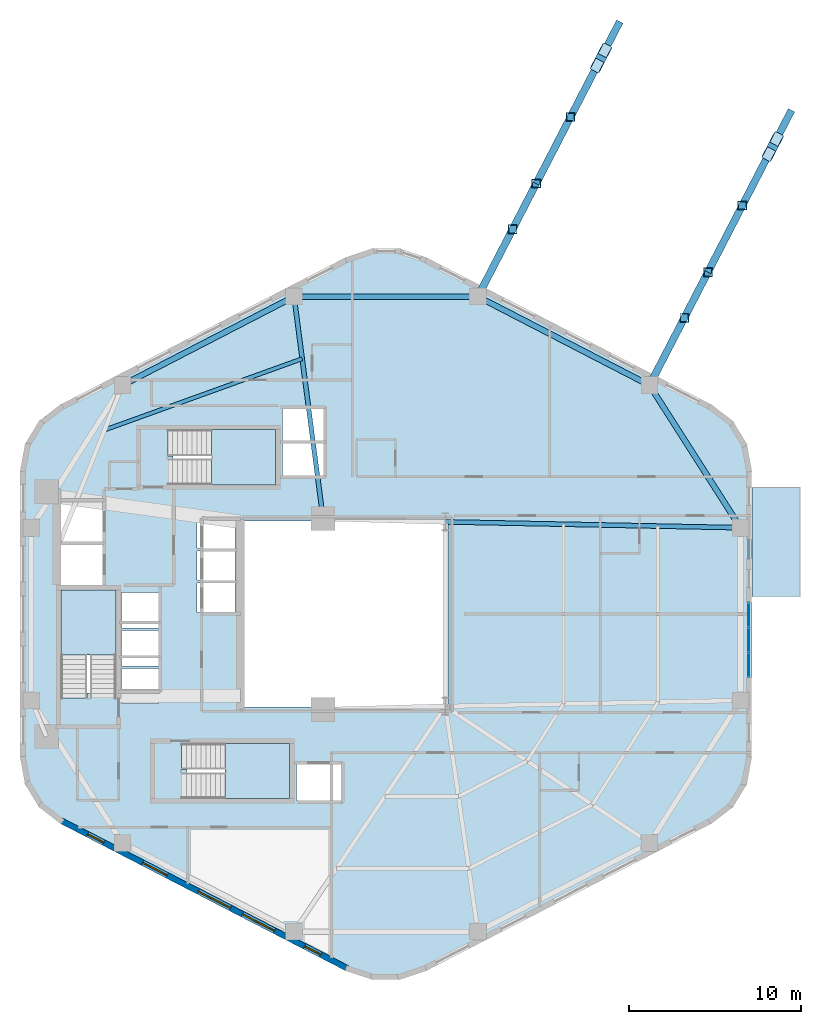
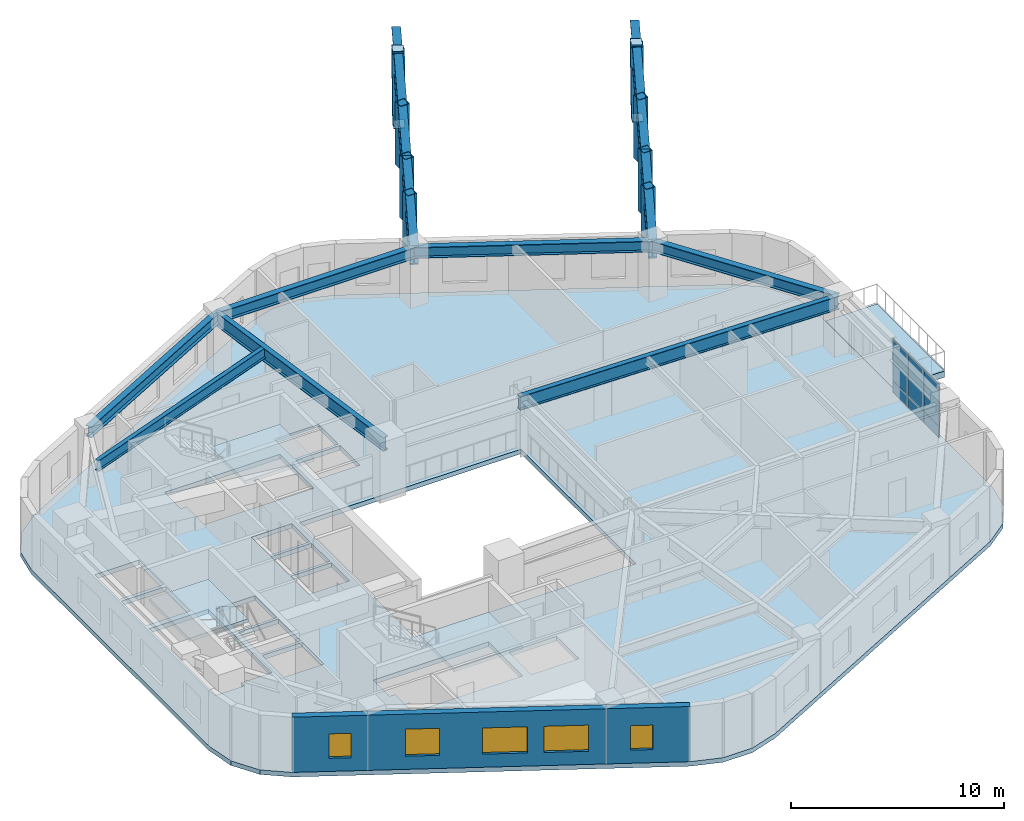
# One storey, part 3 of 9: 11 beams, 10 plates, 8 members, 5 slabs, 5 windows, 1 wall, 5 openings, 4 elements without a shape of their own.
"""IFC4 building model written with IfcOpenShell, lengths in metres."""

from ifc_helpers import new_model, si_unit, direction, frame, frame_2d, origin, origin_2d, place, context, subcontext, project, spatial, polyline, rectangle, hollow_rectangle, i_section, outline, extrude, material, layer, layer_set, material_profile, profile_set, type_object, element, fill, aggregate, save


model = new_model("IFC4")

# Units and contexts
model_context = context("Model", 3, precision=1e-05, world=origin(), true_north=direction((0.0, 1.0)))
body_context = subcontext(model_context, "Body", "Model", "MODEL_VIEW")
ifc_project = project(units=[si_unit("LENGTHUNIT", "METRE"), si_unit("AREAUNIT", "SQUARE_METRE"), si_unit("VOLUMEUNIT", "CUBIC_METRE"), si_unit("PLANEANGLEUNIT", "RADIAN"), si_unit("MASSUNIT", "GRAM", prefix="KILO"), si_unit("THERMODYNAMICTEMPERATUREUNIT", "KELVIN"), si_unit("POWERUNIT", "WATT")], contexts=[model_context])

# Site, building, storey
site_placement = place(None, origin())
site = spatial("IfcSite", under=ifc_project, at=site_placement, CompositionType="ELEMENT")
building_placement = place(site_placement, origin())
building = spatial("IfcBuilding", under=site, at=building_placement, Name="Skarre Station Tower", CompositionType="ELEMENT")
storey_placement = place(building_placement, frame((0.0, 0.0, 108.449951171875)))
storey = spatial("IfcBuildingStorey", under=building, at=storey_placement, Name="L28", CompositionType="ELEMENT", Elevation=108.449951171875)

# Beams
ifc_material_1 = material(Name="Steel ASTM A992 Grade 50", Category="steel")
ifc_material_profile_1 = material_profile(ifc_material_1, i_section(OverallWidth=0.26806640625, OverallDepth=0.77001953125, WebThickness=0.01611328125, FlangeThickness=0.02490234375, at=origin_2d()), Name="Steel ASTM A992 Grade 50")
ifc_profile_set_1 = profile_set([ifc_material_profile_1], Name="Steel ASTM A992 Grade 50")
beam_type_1 = type_object("IfcBeamType", Name="Steel Beam W30X132", PredefinedType="BEAM", material=ifc_profile_set_1)
beam_1_placement = place(storey_placement, frame((32.35009765625, 29.550048828125, 2.775146484375), z_axis=(-0.129545878778, 0.991573429097, 0.0), x_axis=(-0.991573429097, -0.129545878778, 0.0)))
element("IfcBeam", 1, at=beam_1_placement, inside=storey, type_object=beam_type_1, Name="L28 Radial Floor Girder F1C1", PredefinedType="BEAM", context=body_context, shape_type="SweptSolid", body=[
    extrude(i_section(OverallWidth=0.26806640625, OverallDepth=0.77001953125, WebThickness=0.01611328125, FlangeThickness=0.02490234375, at=origin_2d()), origin(), (0.0, 0.0, 1.0), 12.977294921875),
])
beam_2_placement = place(storey_placement, frame((39.449951171875, 29.35009765625, 2.775146484375), z_axis=(0.999803839107, -0.019806143142, 0.0), x_axis=(0.019806143142, 0.999803839107, 0.0)))
element("IfcBeam", 2, at=beam_2_placement, inside=storey, type_object=beam_type_1, Name="L28 Radial Floor Girder F5C2", PredefinedType="BEAM", context=body_context, shape_type="SweptSolid", body=[
    extrude(i_section(OverallWidth=0.26806640625, OverallDepth=0.77001953125, WebThickness=0.01611328125, FlangeThickness=0.02490234375, at=origin_2d()), origin(), (0.0, 0.0, 1.0), 17.12158203125),
])
ifc_material_profile_2 = material_profile(ifc_material_1, i_section(OverallWidth=0.22802734375, OverallDepth=0.60791015625, WebThickness=0.010986328125, FlangeThickness=0.01708984375, at=origin_2d()), Name="Steel ASTM A992 Grade 50")
ifc_profile_set_2 = profile_set([ifc_material_profile_2], Name="Steel ASTM A992 Grade 50")
beam_type_2 = type_object("IfcBeamType", Name="Steel Joist W24X76", PredefinedType="JOIST", material=ifc_profile_set_2)
beam_3_placement = place(storey_placement, frame((31.139892578125, 38.81494140625, 2.85595703125), z_axis=(-0.940679663546, -0.339295992594, 0.0), x_axis=(0.339295992594, -0.940679663546, 0.0)))
element("IfcBeam", 3, at=beam_3_placement, inside=storey, type_object=beam_type_2, Name="L28 Secondary Floor Joist 2", PredefinedType="JOIST", context=body_context, shape_type="SweptSolid", body=[
    extrude(i_section(OverallWidth=0.22802734375, OverallDepth=0.60791015625, WebThickness=0.010986328125, FlangeThickness=0.01708984375, at=origin_2d()), origin(), (0.0, 0.0, 1.0), 12.18994140625),
])
ifc_material_profile_3 = material_profile(ifc_material_1, i_section(OverallWidth=0.327880859375, OverallDepth=0.6279296875, WebThickness=0.01708984375, FlangeThickness=0.028076171875, at=origin_2d()), Name="Steel ASTM A992 Grade 50")
ifc_profile_set_3 = profile_set([ifc_material_profile_3], Name="Steel ASTM A992 Grade 50")
beam_type_3 = type_object("IfcBeamType", Name="Steel Spandrel W24X146", PredefinedType="SPANDREL", material=ifc_profile_set_3)
beam_4_placement = place(storey_placement, frame((51.291015625, 37.277099609375, 2.845947265625), z_axis=(-0.888611779493, 0.458660119639, 0.0), x_axis=(-0.458660119639, -0.888611779493, 0.0)))
element("IfcBeam", 4, at=beam_4_placement, inside=storey, type_object=beam_type_3, Name="L28 Facet Spandrel Beam 1", PredefinedType="SPANDREL", context=body_context, shape_type="SweptSolid", body=[
    extrude(i_section(OverallWidth=0.327880859375, OverallDepth=0.6279296875, WebThickness=0.01708984375, FlangeThickness=0.028076171875, at=origin_2d()), origin(), (0.0, 0.0, 1.0), 11.20849609375),
])
beam_5_placement = place(storey_placement, frame((41.3310546875, 42.41796875, 2.845947265625), z_axis=(-1.0, 0.0, 0.0), x_axis=(0.0, -1.0, 0.0)))
element("IfcBeam", 5, at=beam_5_placement, inside=storey, type_object=beam_type_3, Name="L28 Facet Spandrel Beam 2", PredefinedType="SPANDREL", context=body_context, shape_type="SweptSolid", body=[
    extrude(i_section(OverallWidth=0.327880859375, OverallDepth=0.6279296875, WebThickness=0.01708984375, FlangeThickness=0.028076171875, at=origin_2d()), origin(), (0.0, 0.0, 1.0), 10.662109375),
])
beam_6_placement = place(storey_placement, frame((30.6689453125, 42.41796875, 2.845947265625), z_axis=(-0.888611779493, -0.458660119639, 0.0), x_axis=(0.458660119639, -0.888611779493, 0.0)))
element("IfcBeam", 6, at=beam_6_placement, inside=storey, type_object=beam_type_3, Name="L28 Facet Spandrel Beam 3", PredefinedType="SPANDREL", context=body_context, shape_type="SweptSolid", body=[
    extrude(i_section(OverallWidth=0.327880859375, OverallDepth=0.6279296875, WebThickness=0.01708984375, FlangeThickness=0.028076171875, at=origin_2d()), origin(), (0.0, 0.0, 1.0), 11.20849609375),
])
beam_7_placement = place(storey_placement, frame((56.568115234375, 29.010986328125, 2.845947265625), z_axis=(-0.538097547923, 0.842882571251, 0.0), x_axis=(-0.842882571251, -0.538097547923, 0.0)))
element("IfcBeam", 7, at=beam_7_placement, inside=storey, type_object=beam_type_3, Name="L28 Facet Spandrel Beam 12", PredefinedType="SPANDREL", context=body_context, shape_type="SweptSolid", body=[
    extrude(i_section(OverallWidth=0.327880859375, OverallDepth=0.6279296875, WebThickness=0.01708984375, FlangeThickness=0.028076171875, at=origin_2d()), origin(), (0.0, 0.0, 1.0), 9.806884765625),
])
ifc_material_2 = material(Name="Steel ASTM A913 Grade 65", Category="steel")
ifc_material_profile_4 = material_profile(ifc_material_2, i_section(OverallWidth=0.424072265625, OverallDepth=1.092041015625, WebThickness=0.044921875, FlangeThickness=0.08203125, at=origin_2d()), Name="Steel ASTM A913 Grade 65")
ifc_profile_set_4 = profile_set([ifc_material_profile_4], Name="Steel ASTM A913 Grade 65")
beam_type_4 = type_object("IfcBeamType", Name="Steel Transfer Girder W40X593", PredefinedType="USERDEFINED", material=ifc_profile_set_4)
beam_8_placement = place(storey_placement, frame((51.291015625, 37.277099609375, 2.614013671875), z_axis=(0.45867578355, 0.888603694334, 0.0), x_axis=(-0.888603694334, 0.45867578355, 0.0)))
element("IfcBeam", 8, at=beam_8_placement, inside=storey, type_object=beam_type_4, Name="L28 SB-2 Inner Sky-Bar Transfer Girder S1", ObjectType="TRANSFER_GIRDER", PredefinedType="USERDEFINED", context=body_context, shape_type="SweptSolid", body=[
    extrude(i_section(OverallWidth=0.424072265625, OverallDepth=1.092041015625, WebThickness=0.044921875, FlangeThickness=0.08203125, at=origin_2d()), origin(), (0.0, 0.0, 1.0), 7.3798828125),
])
beam_9_placement = place(storey_placement, frame((54.676025390625, 43.8349609375, 2.614013671875), z_axis=(0.458670573437, 0.88860638365, 0.0), x_axis=(-0.88860638365, 0.458670573437, 0.0)))
element("IfcBeam", 9, at=beam_9_placement, inside=storey, type_object=beam_type_4, Name="L28 SB-2 Outer Sky-Bar Transfer Girder S1", ObjectType="TRANSFER_GIRDER", PredefinedType="USERDEFINED", context=body_context, shape_type="SweptSolid", body=[
    extrude(i_section(OverallWidth=0.424072265625, OverallDepth=1.092041015625, WebThickness=0.044921875, FlangeThickness=0.08203125, at=origin_2d()), origin(), (0.0, 0.0, 1.0), 10.569580078125),
])
beam_10_placement = place(storey_placement, frame((41.3310546875, 42.41796875, 2.614013671875), z_axis=(0.45866230048, 0.88861065384, 0.0), x_axis=(-0.88861065384, 0.45866230048, 0.0)))
element("IfcBeam", 10, at=beam_10_placement, inside=storey, type_object=beam_type_4, Name="L28 SB-2 Inner Sky-Bar Transfer Girder S2", ObjectType="TRANSFER_GIRDER", PredefinedType="USERDEFINED", context=body_context, shape_type="SweptSolid", body=[
    extrude(i_section(OverallWidth=0.424072265625, OverallDepth=1.092041015625, WebThickness=0.044921875, FlangeThickness=0.08203125, at=origin_2d()), origin(), (0.0, 0.0, 1.0), 7.380126953125),
])
beam_11_placement = place(storey_placement, frame((44.716064453125, 48.97607421875, 2.614013671875), z_axis=(0.458679988111, 0.888601524029, 0.0), x_axis=(-0.888601524029, 0.458679988111, 0.0)))
element("IfcBeam", 11, at=beam_11_placement, inside=storey, type_object=beam_type_4, Name="L28 SB-2 Outer Sky-Bar Transfer Girder S2", ObjectType="TRANSFER_GIRDER", PredefinedType="USERDEFINED", context=body_context, shape_type="SweptSolid", body=[
    extrude(i_section(OverallWidth=0.424072265625, OverallDepth=1.092041015625, WebThickness=0.044921875, FlangeThickness=0.08203125, at=origin_2d()), origin(), (0.0, 0.0, 1.0), 10.5693359375),
])

# Members
ifc_material_3 = material(Name="Steel ASTM A501 Grade B", Category="steel")
ifc_material_profile_5 = material_profile(ifc_material_3, hollow_rectangle(XDim=0.5, YDim=0.5, WallThickness=0.02490234375, at=origin_2d()), Name="Steel ASTM A501 Grade B")
ifc_profile_set_5 = profile_set([ifc_material_profile_5], Name="Steel ASTM A501 Grade B")
member_type_1 = type_object("IfcMemberType", Name="Steel Truss Strut HSS500X500X25", PredefinedType="STRUT", material=ifc_profile_set_5)
for number, where, z_axis, x_axis, name in (
    (12, (53.30908203125, 41.18701171875, -0.43994140625), (0.0, 0.0, 1.0), (1.0, 0.0, 0.0), "L28 SB-2 Exoskeleton Post Tier 4-1 S1"),
    (13, (54.676025390625, 43.8349609375, -0.43994140625), (0.0, 0.0, 1.0), (1.0, 0.0, 0.0), "L28 SB-2 Exoskeleton Post Tier 4-2 S1"),
    (14, (56.6708984375, 47.699951171875, -0.43994140625), (0.0, 0.0, 1.0), (1.0, 0.0, 0.0), "L28 SB-2 Exoskeleton Post Tier 4-3 S1"),
    (15, (43.34912109375, 46.327880859375, -0.43994140625), (0.0, 0.0, 1.0), (1.0, 0.0, 0.0), "L28 SB-2 Exoskeleton Post Tier 4-1 S2"),
    (16, (44.716064453125, 48.97607421875, -0.43994140625), (0.0, 0.0, 1.0), (1.0, 0.0, 0.0), "L28 SB-2 Exoskeleton Post Tier 4-2 S2"),
    (17, (46.7109375, 52.841064453125, -0.43994140625), (0.0, 0.0, 1.0), (1.0, 0.0, 0.0), "L28 SB-2 Exoskeleton Post Tier 4-3 S2"),
):
    element("IfcMember", number, at=place(storey_placement, frame(where, z_axis=z_axis, x_axis=x_axis)), inside=storey, type_object=member_type_1, Name=name, PredefinedType="STRUT", context=body_context, shape_type="SweptSolid", body=[
        extrude(hollow_rectangle(XDim=0.5, YDim=0.5, WallThickness=0.02490234375, at=origin_2d()), origin(), (0.0, 0.0, 1.0), 3.60009765625),
    ])
ifc_material_profile_6 = material_profile(ifc_material_3, hollow_rectangle(XDim=0.60009765625, YDim=0.60009765625, WallThickness=0.028076171875, at=origin_2d()), Name="Steel ASTM A501 Grade B")
ifc_profile_set_6 = profile_set([ifc_material_profile_6], Name="Steel ASTM A501 Grade B")
member_type_2 = type_object("IfcMemberType", Name="Steel Truss Strut HSS600X600X28", PredefinedType="STRUT", material=ifc_profile_set_6)
for number, where, z_axis, x_axis, name in (
    (18, (58.20703125, 50.677001953125, -0.43994140625), (0.12283756982, 0.237899782828, 0.963490853496), (-0.888543643112, 0.458792103557, 0.0), "L28 SB-2 Exoskeleton Raking Strut Tier 4 S1"),
    (19, (48.2470703125, 55.818115234375, -0.43994140625), (0.12283756982, 0.237899782828, 0.963490853496), (-0.888543643112, 0.458792103557, 0.0), "L28 SB-2 Exoskeleton Raking Strut Tier 4 S2"),
):
    element("IfcMember", number, at=place(storey_placement, frame(where, z_axis=z_axis, x_axis=x_axis)), inside=storey, type_object=member_type_2, Name=name, PredefinedType="STRUT", context=body_context, shape_type="SweptSolid", body=[
        extrude(hollow_rectangle(XDim=0.60009765625, YDim=0.60009765625, WallThickness=0.028076171875, at=origin_2d()), origin(), (0.0, 0.0, 1.0), 3.736572265625),
    ])

# Curtain wall, plates
ifc_material_4 = material(Name="Thermally Broken Bronze-Anodized Aluminium & Triple Low-E Glass", Category="aluminium")
ifc_layer_1 = layer(ifc_material_4, 0.18994140625, Name="Thermally Broken Bronze-Anodized Aluminium & Triple Low-E Glass")
ifc_layer_set_1 = layer_set([ifc_layer_1], Name="Thermally Broken Bronze-Anodized Aluminium & Triple Low-E Glass")
curtain_wall_type = type_object("IfcCurtainWallType", Name="Sky-Garden Setback Conservatory Curtain Wall", PredefinedType="NOTDEFINED", material=ifc_layer_set_1)
curtain_wall_placement = place(storey_placement, origin())
curtain_wall = element("IfcCurtainWall", 20, at=curtain_wall_placement, inside=storey, type_object=curtain_wall_type, Name="L28 Facet 5 Conservatory Curtain Wall", PredefinedType="NOTDEFINED")
ifc_material_5 = material(Name="Insulated Bronze Anodized Aluminium Spandrel", Category="aluminium")
ifc_layer_2 = layer(ifc_material_5, 0.052001953125, Name="Insulated Bronze Anodized Aluminium Spandrel")
ifc_layer_set_2 = layer_set([ifc_layer_2], Name="Insulated Bronze Anodized Aluminium Spandrel")
plate_type_1 = type_object("IfcPlateType", Name="Bronze Insulated Spandrel Sheet Panel 52", PredefinedType="SHEET", material=ifc_layer_set_2)
plate_1_placement = place(storey_placement, frame((57.048095703125, 23.944091796875, 0.05224609375), z_axis=(0.0, 0.0, 1.0), x_axis=(0.0, -1.0, 0.0)))
plate_1 = element("IfcPlate", 21, at=plate_1_placement, type_object=plate_type_1, Name="L28 Facet 5 Conservatory Curtain Wall Spandrel Panel 1-1", PredefinedType="SHEET", context=body_context, shape_type="SweptSolid", body=[
    extrude(rectangle(XDim=1.424072265625, YDim=0.052001953125, at=origin_2d()), origin(), (0.0, 0.0, 1.0), 0.635986328125),
])
plate_2_placement = place(storey_placement, frame((57.048095703125, 22.49609375, 0.05224609375), z_axis=(0.0, 0.0, 1.0), x_axis=(0.0, -1.0, 0.0)))
plate_2 = element("IfcPlate", 22, at=plate_2_placement, type_object=plate_type_1, Name="L28 Facet 5 Conservatory Curtain Wall Spandrel Panel 2-1", PredefinedType="SHEET", context=body_context, shape_type="SweptSolid", body=[
    extrude(rectangle(XDim=1.424072265625, YDim=0.052001953125, at=origin_2d()), origin(), (0.0, 0.0, 1.0), 0.635986328125),
])
plate_3_placement = place(storey_placement, frame((57.048095703125, 21.049072265625, 0.05224609375), z_axis=(0.0, 0.0, 1.0), x_axis=(0.0, -1.0, 0.0)))
plate_3 = element("IfcPlate", 23, at=plate_3_placement, type_object=plate_type_1, Name="L28 Facet 5 Conservatory Curtain Wall Spandrel Panel 3-1", PredefinedType="SHEET", context=body_context, shape_type="SweptSolid", body=[
    extrude(rectangle(XDim=1.424072265625, YDim=0.052001953125, at=origin_2d()), origin(), (0.0, 0.0, 1.0), 0.635986328125),
])

# Plates
ifc_material_6 = material(Name="Steel ASTM A572 Grade 50", Category="steel")
ifc_layer_3 = layer(ifc_material_6, 0.031982421875, Name="Steel ASTM A572 Grade 50")
ifc_layer_set_3 = layer_set([ifc_layer_3], Name="Steel ASTM A572 Grade 50")
plate_type_2 = type_object("IfcPlateType", Name="Exoskeleton Strut Cap Plate 700x540x32", PredefinedType="USERDEFINED", material=ifc_layer_set_3)
for number, where, z_axis, x_axis, name in (
    (24, (58.20703125, 50.677001953125, -0.44580078125), (0.0, 0.0, 1.0), (0.458649554484, 0.888617232655, 0.0), "L28 SB-2 Exoskeleton Tier-4 Base Gusset S1"),
    (25, (58.666015625, 51.56591796875, 3.13427734375), (0.0, 0.0, 1.0), (0.458649554484, 0.888617232655, 0.0), "L28 SB-2 Exoskeleton Tier-4 Head Gusset S1"),
    (26, (48.2470703125, 55.818115234375, -0.44580078125), (0.0, 0.0, 1.0), (0.458649554484, 0.888617232655, 0.0), "L28 SB-2 Exoskeleton Tier-4 Base Gusset S2"),
    (27, (48.7060546875, 56.70703125, 3.13427734375), (0.0, 0.0, 1.0), (0.458649554484, 0.888617232655, 0.0), "L28 SB-2 Exoskeleton Tier-4 Head Gusset S2"),
):
    element("IfcPlate", number, at=place(storey_placement, frame(where, z_axis=z_axis, x_axis=x_axis)), inside=storey, type_object=plate_type_2, Name=name, ObjectType="STIFFENER_PLATE", PredefinedType="USERDEFINED", context=body_context, shape_type="SweptSolid", body=[
        extrude(rectangle(XDim=0.699951171875, YDim=0.5400390625, at=origin_2d()), origin(), (0.0, 0.0, 1.0), 0.031982421875),
    ])

# Stair, slab
ifc_material_7 = material(Name="Concrete C40/50", Category="concrete")
stair_type_1 = type_object("IfcStairType", Name="Reinforced Concrete Exit Stair ST-1", PredefinedType="HALF_TURN_STAIR", material=ifc_material_7)
stair_1_placement = place(storey_placement, origin())
stair_1 = element("IfcStair", 28, at=stair_1_placement, inside=storey, type_object=stair_type_1, Name="L28 Core Exit Stair ST-1", PredefinedType="HALF_TURN_STAIR")
ifc_layer_4 = layer(ifc_material_7, 0.219970703125, Name="Concrete C40/50")
ifc_layer_set_4 = layer_set([ifc_layer_4], Name="Concrete C40/50")
slab_type_1 = type_object("IfcSlabType", Name="Reinforced Concrete Stair & Ramp Landing 220", PredefinedType="LANDING", material=ifc_layer_set_4)
slab_1_placement = place(storey_placement, frame((0.0, 0.0, 1.525146484375)))
slab_1 = element("IfcSlab", 29, at=slab_1_placement, type_object=slab_type_1, Name="ST-1 landing 1", PredefinedType="LANDING", context=body_context, shape_type="SweptSolid", body=[
    extrude(outline(polyline([(20.35009765625, 21.639892578125), (20.35009765625, 25.39990234375), (17.14990234375, 25.39990234375), (17.14990234375, 21.639892578125), (20.35009765625, 21.639892578125)])), origin(), (0.0, 0.0, 1.0), 0.199951171875),
])
aggregate(stair_1, [slab_1])

stair_type_2 = type_object("IfcStairType", Name="Reinforced Concrete Exit Stair ST-2", PredefinedType="HALF_TURN_STAIR", material=ifc_material_7)
stair_2_placement = place(storey_placement, origin())
stair_2 = element("IfcStair", 30, at=stair_2_placement, inside=storey, type_object=stair_type_2, Name="L28 Core Exit Stair ST-2", PredefinedType="HALF_TURN_STAIR")
slab_2_placement = place(storey_placement, frame((0.0, 0.0, 1.525146484375)))
slab_2 = element("IfcSlab", 31, at=slab_2_placement, type_object=slab_type_1, Name="ST-2 landing 1", PredefinedType="LANDING", context=body_context, shape_type="SweptSolid", body=[
    extrude(outline(polyline([(26.669921875, 13.300048828125), (30.39990234375, 13.300048828125), (30.39990234375, 16.5), (26.669921875, 16.5), (26.669921875, 13.300048828125)])), origin(), (0.0, 0.0, 1.0), 0.199951171875),
])
aggregate(stair_2, [slab_2])

stair_type_3 = type_object("IfcStairType", Name="Reinforced Concrete Exit Stair ST-3", PredefinedType="HALF_TURN_STAIR", material=ifc_material_7)
stair_3_placement = place(storey_placement, origin())
stair_3 = element("IfcStair", 32, at=stair_3_placement, inside=storey, type_object=stair_type_3, Name="L28 Core Exit Stair ST-3", PredefinedType="HALF_TURN_STAIR")
slab_3_placement = place(storey_placement, frame((0.0, 0.0, 1.525146484375)))
slab_3 = element("IfcSlab", 33, at=slab_3_placement, type_object=slab_type_1, Name="ST-3 landing 1", PredefinedType="LANDING", context=body_context, shape_type="SweptSolid", body=[
    extrude(outline(polyline([(25.8701171875, 31.5), (29.60009765625, 31.5), (29.60009765625, 34.699951171875), (25.8701171875, 34.699951171875), (25.8701171875, 31.5)])), origin(), (0.0, 0.0, 1.0), 0.199951171875),
])
aggregate(stair_3, [slab_3])

# Slabs
ifc_material_8 = material(Name="Concrete C50/60", Category="concrete")
ifc_layer_5 = layer(ifc_material_8, 0.419921875, Name="Concrete C50/60")
ifc_layer_set_5 = layer_set([ifc_layer_5], Name="Concrete C50/60")
slab_type_2 = type_object("IfcSlabType", Name="Sky-Garden & Lookout Terrace Slab 360", PredefinedType="FLOOR", material=ifc_layer_set_5)
slab_4_placement = place(storey_placement, frame((0.0, 0.0, -0.35986328125)))
element("IfcSlab", 34, at=slab_4_placement, inside=storey, type_object=slab_type_2, Name="L28 SG-1 Planted Sky-Garden Terrace Slab", PredefinedType="FLOOR", context=body_context, shape_type="SweptSolid", body=[
    extrude(outline(polyline([(57.22802734375, 31.35009765625), (57.22802734375, 25.001953125), (60.01806640625, 25.001953125), (60.01806640625, 31.35009765625), (57.22802734375, 31.35009765625)])), origin(), (0.0, 0.0, 1.0), 0.35986328125),
])
ifc_layer_6 = layer(ifc_material_8, 0.260009765625, Name="Concrete C50/60")
ifc_layer_set_6 = layer_set([ifc_layer_6], Name="Concrete C50/60")
slab_type_3 = type_object("IfcSlabType", Name="Tower Typical Composite Floor Slab 260", PredefinedType="FLOOR", material=ifc_layer_set_6)
slab_5_placement = place(storey_placement, frame((0.0, 0.0, -0.260009765625)))
element("IfcSlab", 35, at=slab_5_placement, inside=storey, type_object=slab_type_3, Name="L28 Zone 2 Structural Floor Slab", PredefinedType="FLOOR", context=body_context, shape_type="SweptSolid", body=[
    extrude(outline(polyline([(57.218017578125, 32.35205078125), (56.93701171875, 33.873046875), (56.132080078125, 35.194091796875), (54.908935546875, 36.14111328125), (38.30908203125, 44.708984375), (36.7958984375, 45.2060546875), (35.2041015625, 45.2060546875), (33.69091796875, 44.708984375), (17.091064453125, 36.14111328125), (15.867919921875, 35.194091796875), (15.06298828125, 33.873046875), (14.781982421875, 32.35205078125), (14.781982421875, 15.64794921875), (15.06298828125, 14.126953125), (15.867919921875, 12.805908203125), (17.091064453125, 11.85888671875), (33.69091796875, 3.291015625), (35.2041015625, 2.7939453125), (36.7958984375, 2.7939453125), (38.30908203125, 3.291015625), (54.908935546875, 11.85888671875), (56.132080078125, 12.805908203125), (56.93701171875, 14.126953125), (57.218017578125, 15.64794921875), (57.218017578125, 32.35205078125)]), holes=[polyline([(18.669921875, 19.419921875), (18.669921875, 19.123046875), (17.14990234375, 19.123046875), (17.14990234375, 25.39990234375), (20.35009765625, 25.39990234375), (20.35009765625, 19.419921875), (18.669921875, 19.419921875)]), polyline([(24.449951171875, 14.97998046875), (24.153076171875, 14.97998046875), (24.153076171875, 16.5), (30.39990234375, 16.5), (30.39990234375, 13.300048828125), (24.449951171875, 13.300048828125), (24.449951171875, 14.97998046875)]), polyline([(23.64990234375, 33.179931640625), (23.35302734375, 33.179931640625), (23.35302734375, 34.699951171875), (29.60009765625, 34.699951171875), (29.60009765625, 31.5), (23.64990234375, 31.5), (23.64990234375, 33.179931640625)]), polyline([(17.14990234375, 28.0), (19.550048828125, 28.0), (19.550048828125, 25.699951171875), (17.14990234375, 25.699951171875), (17.14990234375, 28.0)]), polyline([(17.14990234375, 30.5), (19.550048828125, 30.5), (19.550048828125, 28.199951171875), (17.14990234375, 28.199951171875), (17.14990234375, 30.5)]), polyline([(30.800048828125, 15.300048828125), (33.39990234375, 15.300048828125), (33.39990234375, 13.199951171875), (30.800048828125, 13.199951171875), (30.800048828125, 15.300048828125)]), polyline([(25.050048828125, 25.800048828125), (27.25, 25.800048828125), (27.25, 24.10009765625), (25.050048828125, 24.10009765625), (25.050048828125, 25.800048828125)]), polyline([(25.050048828125, 27.64990234375), (27.25, 27.64990234375), (27.25, 25.949951171875), (25.050048828125, 25.949951171875), (25.050048828125, 27.64990234375)]), polyline([(25.050048828125, 29.5), (27.25, 29.5), (27.25, 27.800048828125), (25.050048828125, 27.800048828125), (25.050048828125, 29.5)]), polyline([(20.64990234375, 20.85009765625), (22.800048828125, 20.85009765625), (22.800048828125, 18.800048828125), (20.64990234375, 18.800048828125), (20.64990234375, 20.85009765625)]), polyline([(20.64990234375, 23.050048828125), (22.800048828125, 23.050048828125), (22.800048828125, 21.0), (20.64990234375, 21.0), (20.64990234375, 23.050048828125)]), polyline([(20.64990234375, 25.25), (22.800048828125, 25.25), (22.800048828125, 23.199951171875), (20.64990234375, 23.199951171875), (20.64990234375, 25.25)]), polyline([(30.0, 33.89990234375), (32.39990234375, 33.89990234375), (32.39990234375, 32.050048828125), (30.0, 32.050048828125), (30.0, 33.89990234375)]), polyline([(30.0, 35.89990234375), (32.39990234375, 35.89990234375), (32.39990234375, 34.050048828125), (30.0, 34.050048828125), (30.0, 35.89990234375)]), polyline([(27.60009765625, 29.39990234375), (39.60009765625, 29.39990234375), (39.60009765625, 18.60009765625), (27.60009765625, 18.60009765625), (27.60009765625, 29.39990234375)])]), origin(), (0.0, 0.0, 1.0), 0.260009765625),
])

# Plate
ifc_material_9 = material(Name="Low-Iron Triple Insulating Glass Unit", Category="glass")
ifc_layer_7 = layer(ifc_material_9, 0.0439453125, Name="Low-Iron Triple Insulating Glass Unit")
ifc_layer_set_7 = layer_set([ifc_layer_7], Name="Low-Iron Triple Insulating Glass Unit")
plate_type_3 = type_object("IfcPlateType", Name="Triple-Glazed Vision Curtain Panel 44", PredefinedType="CURTAIN_PANEL", material=ifc_layer_set_7)
plate_4_placement = place(storey_placement, frame((57.048095703125, 23.944091796875, 0.712158203125), z_axis=(0.0, 0.0, 1.0), x_axis=(0.0, -1.0, 0.0)))
plate_4 = element("IfcPlate", 36, at=plate_4_placement, type_object=plate_type_3, Name="L28 Facet 5 Conservatory Curtain Wall Vision Panel 1-2", PredefinedType="CURTAIN_PANEL", context=body_context, shape_type="SweptSolid", body=[
    extrude(rectangle(XDim=1.424072265625, YDim=0.0439453125, at=origin_2d()), origin(), (0.0, 0.0, 1.0), 2.39599609375),
])

plate_5_placement = place(storey_placement, frame((57.048095703125, 22.49609375, 0.712158203125), z_axis=(0.0, 0.0, 1.0), x_axis=(0.0, -1.0, 0.0)))
plate_5 = element("IfcPlate", 37, at=plate_5_placement, type_object=plate_type_3, Name="L28 Facet 5 Conservatory Curtain Wall Vision Panel 2-2", PredefinedType="CURTAIN_PANEL", context=body_context, shape_type="SweptSolid", body=[
    extrude(rectangle(XDim=1.424072265625, YDim=0.0439453125, at=origin_2d()), origin(), (0.0, 0.0, 1.0), 2.39599609375),
])

plate_6_placement = place(storey_placement, frame((57.048095703125, 21.049072265625, 0.712158203125), z_axis=(0.0, 0.0, 1.0), x_axis=(0.0, -1.0, 0.0)))
plate_6 = element("IfcPlate", 38, at=plate_6_placement, type_object=plate_type_3, Name="L28 Facet 5 Conservatory Curtain Wall Vision Panel 3-2", PredefinedType="CURTAIN_PANEL", context=body_context, shape_type="SweptSolid", body=[
    extrude(rectangle(XDim=1.424072265625, YDim=0.0439453125, at=origin_2d()), origin(), (0.0, 0.0, 1.0), 2.39599609375),
])

aggregate(curtain_wall, [plate_1, plate_4, plate_2, plate_5, plate_3, plate_6])

# Wall, openings, windows
ifc_material_10 = material(Name="Precast concrete C45/55", Category="concrete")
ifc_layer_8 = layer(ifc_material_10, 0.340087890625, Name="Precast concrete C45/55")
ifc_layer_set_8 = layer_set([ifc_layer_8], Name="Precast concrete C45/55")
wall_type = type_object("IfcWallType", Name="Nordic Honed Precast Facet Wall 340", PredefinedType="STANDARD", material=ifc_layer_set_8)
wall_placement = place(storey_placement, frame((33.76904296875, 3.44189453125, 0.0), z_axis=(0.0, 0.0, 1.0), x_axis=(-0.888613612362, 0.458656568606, 0.0)))
wall = element("IfcWall", 39, at=wall_placement, inside=storey, type_object=wall_type, Name="L28 Facet 3 Nordic Precast Masonry Wall", PredefinedType="STANDARD", context=body_context, shape_type="SweptSolid", body=[
    extrude(rectangle(XDim=18.680908203125, YDim=0.340087890625, at=frame_2d((9.34033203125, 0.0))), origin(), (0.0, 0.0, 1.0), 3.16015625),
])
opening_1_placement = place(wall_placement, frame((1.75, 0.0, 0.75)))
opening_1 = element("IfcOpeningElement", 40, at=opening_1_placement, cuts=wall, Name="Opening WN-SLT", PredefinedType="OPENING", context=body_context, shape_type="SweptSolid", body=[
    extrude(rectangle(XDim=1.050048828125, YDim=1.39990234375, at=frame_2d((0.52490234375, 0.699951171875))), frame((0.0, 0.179931640625, 0.0), z_axis=(0.0, -1.0, 0.0), x_axis=(1.0, 0.0, 0.0)), (0.0, 0.0, 1.0), 0.360107421875),
])
opening_2_placement = place(wall_placement, frame((4.764892578125, 0.0, 0.75)))
opening_2 = element("IfcOpeningElement", 41, at=opening_2_placement, cuts=wall, Name="Opening WN-Z2B", PredefinedType="OPENING", context=body_context, shape_type="SweptSolid", body=[
    extrude(rectangle(XDim=2.10009765625, YDim=1.5, at=frame_2d((1.050048828125, 0.75))), frame((0.0, 0.179931640625, 0.0), z_axis=(0.0, -1.0, 0.0), x_axis=(1.0, 0.0, 0.0)), (0.0, 0.0, 1.0), 0.360107421875),
])
opening_3_placement = place(wall_placement, frame((7.64404296875, 0.0, 0.75)))
opening_3 = element("IfcOpeningElement", 42, at=opening_3_placement, cuts=wall, Name="Opening WN-Z2B", PredefinedType="OPENING", context=body_context, shape_type="SweptSolid", body=[
    extrude(rectangle(XDim=2.10009765625, YDim=1.5, at=frame_2d((1.050048828125, 0.75))), frame((0.0, 0.179931640625, 0.0), z_axis=(0.0, -1.0, 0.0), x_axis=(1.0, 0.0, 0.0)), (0.0, 0.0, 1.0), 0.360107421875),
])
opening_4_placement = place(wall_placement, frame((11.77392578125, 0.0, 0.75)))
opening_4 = element("IfcOpeningElement", 43, at=opening_4_placement, cuts=wall, Name="Opening WN-Z2A", PredefinedType="OPENING", context=body_context, shape_type="SweptSolid", body=[
    extrude(rectangle(XDim=1.60009765625, YDim=1.550048828125, at=frame_2d((0.800048828125, 0.77490234375))), frame((0.0, 0.179931640625, 0.0), z_axis=(0.0, -1.0, 0.0), x_axis=(1.0, 0.0, 0.0)), (0.0, 0.0, 1.0), 0.360107421875),
])
opening_5_placement = place(wall_placement, frame((15.919921875, 0.0, 0.75)))
opening_5 = element("IfcOpeningElement", 44, at=opening_5_placement, cuts=wall, Name="Opening WN-SLT", PredefinedType="OPENING", context=body_context, shape_type="SweptSolid", body=[
    extrude(rectangle(XDim=1.050048828125, YDim=1.39990234375, at=frame_2d((0.52490234375, 0.699951171875))), frame((0.0, 0.179931640625, 0.0), z_axis=(0.0, -1.0, 0.0), x_axis=(1.0, 0.0, 0.0)), (0.0, 0.0, 1.0), 0.360107421875),
])
ifc_material_11 = material(Name="Low-Iron Triple Glazing with Bronze Anodized Frame", Category="glass")
window_type_1 = type_object("IfcWindowType", Name="Nordic Corner Slot Window 1050x1400", PartitioningType="SINGLE_PANEL", PredefinedType="WINDOW", material=ifc_material_11)
window_1_placement = place(opening_1_placement, origin())
window_1 = element("IfcWindow", 45, at=window_1_placement, inside=storey, type_object=window_type_1, Name="L28 Facade Window WL-FAC-L28-F3-1", OverallHeight=1.39990234375, OverallWidth=1.050048828125, PartitioningType="SINGLE_PANEL", PredefinedType="WINDOW", context=body_context, shape_type="SweptSolid", body=[
    extrude(rectangle(XDim=1.050048828125, YDim=1.39990234375, at=frame_2d((0.52490234375, 0.699951171875))), frame((0.0, 0.030029296875, 0.0), z_axis=(0.0, -1.0, 0.0), x_axis=(1.0, 0.0, 0.0)), (0.0, 0.0, 1.0), 0.06005859375),
])
fill(opening_1, window_1)
window_2_placement = place(opening_5_placement, origin())
window_2 = element("IfcWindow", 46, at=window_2_placement, inside=storey, type_object=window_type_1, Name="L28 Facade Window WL-FAC-L28-F3-5", OverallHeight=1.39990234375, OverallWidth=1.050048828125, PartitioningType="SINGLE_PANEL", PredefinedType="WINDOW", context=body_context, shape_type="SweptSolid", body=[
    extrude(rectangle(XDim=1.050048828125, YDim=1.39990234375, at=frame_2d((0.52490234375, 0.699951171875))), frame((0.0, 0.030029296875, 0.0), z_axis=(0.0, -1.0, 0.0), x_axis=(1.0, 0.0, 0.0)), (0.0, 0.0, 1.0), 0.06005859375),
])
fill(opening_5, window_2)
window_type_2 = type_object("IfcWindowType", Name="Nordic Residential Tall Window 1600x1550", PartitioningType="SINGLE_PANEL", PredefinedType="WINDOW", material=ifc_material_11)
window_3_placement = place(opening_4_placement, origin())
window_3 = element("IfcWindow", 47, at=window_3_placement, inside=storey, type_object=window_type_2, Name="L28 Facade Window WL-FAC-L28-F3-4", OverallHeight=1.550048828125, OverallWidth=1.60009765625, PartitioningType="SINGLE_PANEL", PredefinedType="WINDOW", context=body_context, shape_type="SweptSolid", body=[
    extrude(rectangle(XDim=1.60009765625, YDim=1.550048828125, at=frame_2d((0.800048828125, 0.77490234375))), frame((0.0, 0.030029296875, 0.0), z_axis=(0.0, -1.0, 0.0), x_axis=(1.0, 0.0, 0.0)), (0.0, 0.0, 1.0), 0.06005859375),
])
fill(opening_4, window_3)
window_type_3 = type_object("IfcWindowType", Name="Nordic Residential Twin Window 2100x1500", PartitioningType="SINGLE_PANEL", PredefinedType="WINDOW", material=ifc_material_11)
window_4_placement = place(opening_2_placement, origin())
window_4 = element("IfcWindow", 48, at=window_4_placement, inside=storey, type_object=window_type_3, Name="L28 Facade Window WL-FAC-L28-F3-2", OverallHeight=1.5, OverallWidth=2.10009765625, PartitioningType="SINGLE_PANEL", PredefinedType="WINDOW", context=body_context, shape_type="SweptSolid", body=[
    extrude(rectangle(XDim=2.10009765625, YDim=1.5, at=frame_2d((1.050048828125, 0.75))), frame((0.0, 0.030029296875, 0.0), z_axis=(0.0, -1.0, 0.0), x_axis=(1.0, 0.0, 0.0)), (0.0, 0.0, 1.0), 0.06005859375),
])
fill(opening_2, window_4)
window_5_placement = place(opening_3_placement, origin())
window_5 = element("IfcWindow", 49, at=window_5_placement, inside=storey, type_object=window_type_3, Name="L28 Facade Window WL-FAC-L28-F3-3", OverallHeight=1.5, OverallWidth=2.10009765625, PartitioningType="SINGLE_PANEL", PredefinedType="WINDOW", context=body_context, shape_type="SweptSolid", body=[
    extrude(rectangle(XDim=2.10009765625, YDim=1.5, at=frame_2d((1.050048828125, 0.75))), frame((0.0, 0.030029296875, 0.0), z_axis=(0.0, -1.0, 0.0), x_axis=(1.0, 0.0, 0.0)), (0.0, 0.0, 1.0), 0.06005859375),
])
fill(opening_3, window_5)

save(model, "model.ifc")
